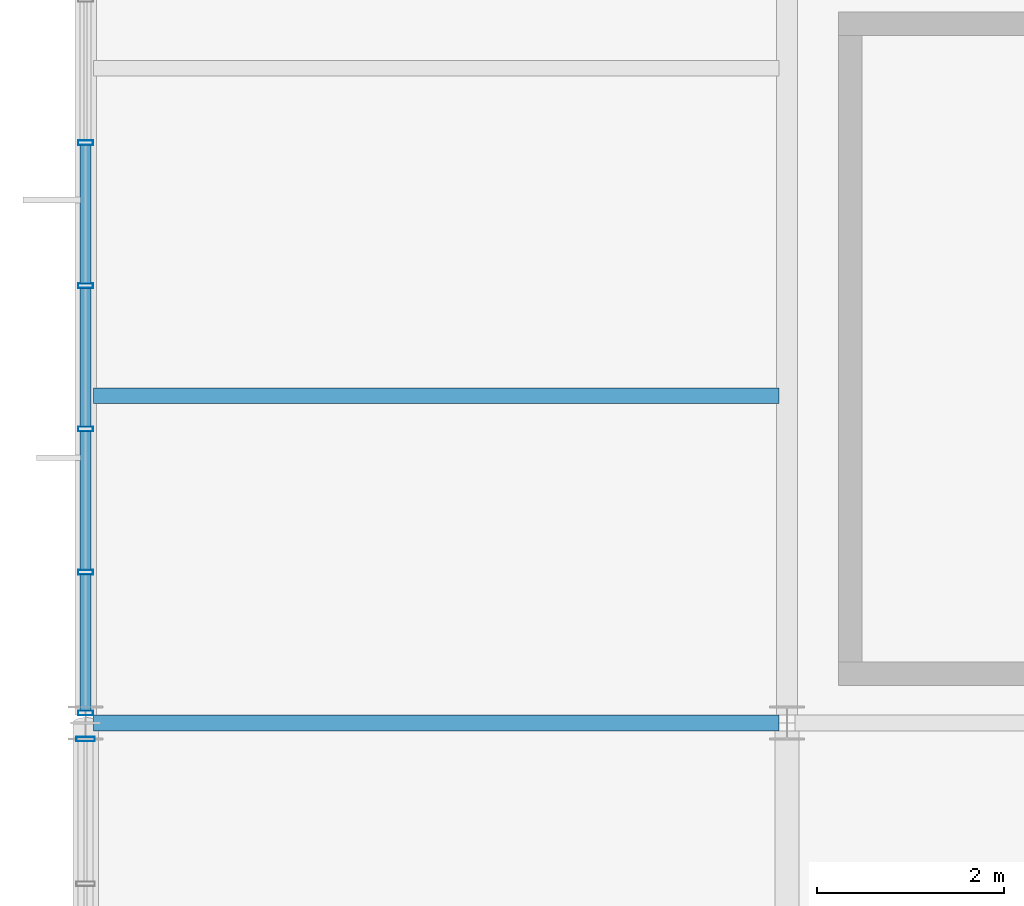
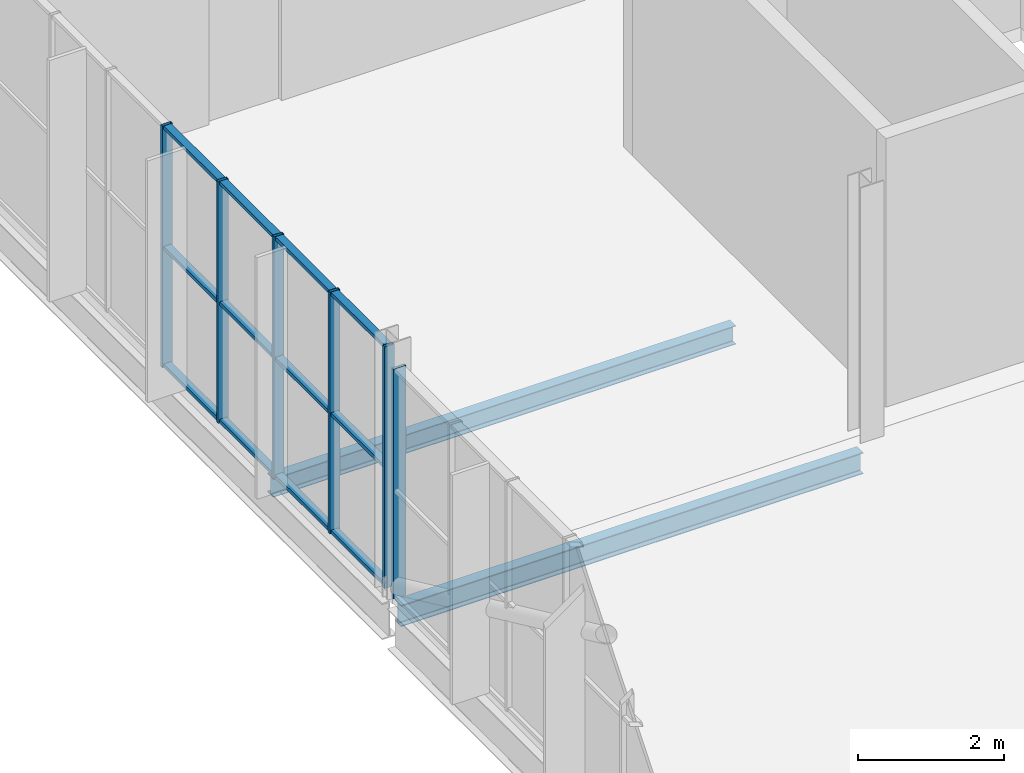
# One storey, part 24 of 324: 18 members, 2 beams, 2 elements without a shape of their own.
"""IFC4 building model written with IfcOpenShell, lengths in metres."""

from ifc_helpers import new_model, si_unit, direction, frame, origin, origin_2d, place, context, subcontext, project, spatial, hollow_rectangle, i_section, extrude, material, layer, layer_set, material_profile, profile_set, type_object, element, aggregate, save


model = new_model("IFC4")

# Units and contexts
model_context = context("Model", 3, precision=1e-05, world=origin(), true_north=direction((0.0, 1.0)))
body_context = subcontext(model_context, "Body", "Model", "MODEL_VIEW")
ifc_project = project(units=[si_unit("LENGTHUNIT", "METRE"), si_unit("AREAUNIT", "SQUARE_METRE"), si_unit("VOLUMEUNIT", "CUBIC_METRE"), si_unit("PLANEANGLEUNIT", "RADIAN"), si_unit("MASSUNIT", "GRAM", prefix="KILO")], contexts=[model_context])

# Site, building, storey
site_placement = place(None, origin())
site = spatial("IfcSite", under=ifc_project, at=site_placement, CompositionType="ELEMENT")
building_placement = place(site_placement, origin())
building = spatial("IfcBuilding", under=site, at=building_placement, Name="Solvenia Promenade Tram Depot", CompositionType="ELEMENT")
storey_placement = place(building_placement, frame((0.0, 0.0, 4.5)))
storey = spatial("IfcBuildingStorey", under=building, at=storey_placement, Name="L01", CompositionType="ELEMENT", Elevation=4.5)

# Curtain wall, members
ifc_material_1 = material(Name="Anodized aluminium AW-6063 T6", Category="aluminium")
ifc_layer_1 = layer(ifc_material_1, 0.1201171875, Name="Anodized aluminium AW-6063 T6", Category="aluminium")
ifc_layer_set_1 = layer_set([ifc_layer_1], Name="Anodized aluminium AW-6063 T6")
curtain_wall_type_1 = type_object("IfcCurtainWallType", Name="CW-Wash-1500", PredefinedType="NOTDEFINED", material=ifc_layer_set_1)
curtain_wall_1_placement = place(storey_placement, origin())
curtain_wall_1 = element("IfcCurtainWall", 1, at=curtain_wall_1_placement, inside=storey, type_object=curtain_wall_type_1, Name="Curtain Wall CW-V3-W-L1-1", PredefinedType="NOTDEFINED")
ifc_material_profile_1 = material_profile(ifc_material_1, hollow_rectangle(XDim=0.159912109375, YDim=0.052001953125, WallThickness=0.00390625, at=origin_2d()), Name="ALU-M1", Category="aluminium")
ifc_profile_set_1 = profile_set([ifc_material_profile_1], Name="Anodized aluminium AW-6063 T6")
member_type_1 = type_object("IfcMemberType", Name="CWM-Mullion-1", PredefinedType="MULLION", material=ifc_profile_set_1)
member_1_placement = place(storey_placement, frame((0.0, 24.10595703125, 0.0), z_axis=(0.0, 0.0, 1.0), x_axis=(-1.0, 0.0, 0.0)))
member_1 = element("IfcMember", 2, at=member_1_placement, type_object=member_type_1, Name="CW-10 mullion 1", PredefinedType="MULLION", context=body_context, shape_type="SweptSolid", body=[
    extrude(hollow_rectangle(XDim=0.159912109375, YDim=0.052001953125, WallThickness=0.00390625, at=origin_2d()), origin(), (0.0, 0.0, 1.0), 4.050048828125),
])
member_2_placement = place(storey_placement, frame((0.0, 25.611083984375, 0.0), z_axis=(0.0, 0.0, 1.0), x_axis=(-1.0, 0.0, 0.0)))
member_2 = element("IfcMember", 3, at=member_2_placement, type_object=member_type_1, Name="CW-10 mullion 2", PredefinedType="MULLION", context=body_context, shape_type="SweptSolid", body=[
    extrude(hollow_rectangle(XDim=0.159912109375, YDim=0.052001953125, WallThickness=0.00390625, at=origin_2d()), origin(), (0.0, 0.0, 1.0), 4.050048828125),
])
member_3_placement = place(storey_placement, frame((0.0, 27.142333984375, 0.0), z_axis=(0.0, 0.0, 1.0), x_axis=(-1.0, 0.0, 0.0)))
member_3 = element("IfcMember", 4, at=member_3_placement, type_object=member_type_1, Name="CW-10 mullion 3", PredefinedType="MULLION", context=body_context, shape_type="SweptSolid", body=[
    extrude(hollow_rectangle(XDim=0.159912109375, YDim=0.052001953125, WallThickness=0.00390625, at=origin_2d()), origin(), (0.0, 0.0, 1.0), 4.050048828125),
])
member_4_placement = place(storey_placement, frame((0.0, 28.67333984375, 0.0), z_axis=(0.0, 0.0, 1.0), x_axis=(-1.0, 0.0, 0.0)))
member_4 = element("IfcMember", 5, at=member_4_placement, type_object=member_type_1, Name="CW-10 mullion 4", PredefinedType="MULLION", context=body_context, shape_type="SweptSolid", body=[
    extrude(hollow_rectangle(XDim=0.159912109375, YDim=0.052001953125, WallThickness=0.00390625, at=origin_2d()), origin(), (0.0, 0.0, 1.0), 4.050048828125),
])
member_5_placement = place(storey_placement, frame((0.0, 30.204345703125, 0.0), z_axis=(0.0, 0.0, 1.0), x_axis=(-1.0, 0.0, 0.0)))
member_5 = element("IfcMember", 6, at=member_5_placement, type_object=member_type_1, Name="CW-10 mullion 5", PredefinedType="MULLION", context=body_context, shape_type="SweptSolid", body=[
    extrude(hollow_rectangle(XDim=0.159912109375, YDim=0.052001953125, WallThickness=0.00390625, at=origin_2d()), origin(), (0.0, 0.0, 1.0), 4.050048828125),
])

# Curtain wall, member
ifc_layer_2 = layer(ifc_material_1, 0.179931640625, Name="Anodized aluminium AW-6063 T6", Category="aluminium")
ifc_layer_set_2 = layer_set([ifc_layer_2], Name="Anodized aluminium AW-6063 T6")
curtain_wall_type_2 = type_object("IfcCurtainWallType", Name="CW-Solar-1500", PredefinedType="NOTDEFINED", material=ifc_layer_set_2)
curtain_wall_2_placement = place(storey_placement, origin())
curtain_wall_2 = element("IfcCurtainWall", 7, at=curtain_wall_2_placement, inside=storey, type_object=curtain_wall_type_2, Name="Curtain Wall CW-V4W-L01", PredefinedType="NOTDEFINED")
ifc_material_profile_2 = material_profile(ifc_material_1, hollow_rectangle(XDim=0.199951171875, YDim=0.048095703125, WallThickness=0.00390625, at=origin_2d()), Name="ALU-M3", Category="aluminium")
ifc_profile_set_2 = profile_set([ifc_material_profile_2], Name="Anodized aluminium AW-6063 T6")
member_type_2 = type_object("IfcMemberType", Name="CWM-Mullion-3", PredefinedType="MULLION", material=ifc_profile_set_2)
member_6_placement = place(storey_placement, frame((0.0, 23.825927734375, 0.0), z_axis=(0.0, 0.0, 1.0), x_axis=(-1.0, 0.0, 0.0)))
member_6 = element("IfcMember", 8, at=member_6_placement, type_object=member_type_2, Name="CW-7 mullion 11", PredefinedType="MULLION", context=body_context, shape_type="SweptSolid", body=[
    extrude(hollow_rectangle(XDim=0.199951171875, YDim=0.048095703125, WallThickness=0.00390625, at=origin_2d()), origin(), (0.0, 0.0, 1.0), 3.85009765625),
])
aggregate(curtain_wall_2, [member_6])

# Member
ifc_material_profile_3 = material_profile(ifc_material_1, hollow_rectangle(XDim=0.1201171875, YDim=0.06005859375, WallThickness=0.00390625, at=origin_2d()), Name="ALU-T1", Category="aluminium")
ifc_profile_set_3 = profile_set([ifc_material_profile_3], Name="Anodized aluminium AW-6063 T6")
member_type_3 = type_object("IfcMemberType", Name="CWT-Transom-1", PredefinedType="USERDEFINED", material=ifc_profile_set_3)
member_7_placement = place(storey_placement, frame((0.0, 24.132080078125, 0.030029296875), z_axis=(0.0, 1.0, 0.0), x_axis=(-1.0, 0.0, 0.0)))
member_7 = element("IfcMember", 9, at=member_7_placement, type_object=member_type_3, Name="CW-10 transom 1.1", ObjectType="TRANSOM", PredefinedType="USERDEFINED", context=body_context, shape_type="SweptSolid", body=[
    extrude(hollow_rectangle(XDim=0.1201171875, YDim=0.06005859375, WallThickness=0.00390625, at=origin_2d()), origin(), (0.0, 0.0, 1.0), 1.453125),
])

member_8_placement = place(storey_placement, frame((0.0, 24.132080078125, 2.0), z_axis=(0.0, 1.0, 0.0), x_axis=(-1.0, 0.0, 0.0)))
member_8 = element("IfcMember", 10, at=member_8_placement, type_object=member_type_3, Name="CW-10 transom 1.2", ObjectType="TRANSOM", PredefinedType="USERDEFINED", context=body_context, shape_type="SweptSolid", body=[
    extrude(hollow_rectangle(XDim=0.1201171875, YDim=0.06005859375, WallThickness=0.00390625, at=origin_2d()), origin(), (0.0, 0.0, 1.0), 1.453125),
])

member_9_placement = place(storey_placement, frame((0.0, 24.132080078125, 4.02001953125), z_axis=(0.0, 1.0, 0.0), x_axis=(-1.0, 0.0, 0.0)))
member_9 = element("IfcMember", 11, at=member_9_placement, type_object=member_type_3, Name="CW-10 transom 1.3", ObjectType="TRANSOM", PredefinedType="USERDEFINED", context=body_context, shape_type="SweptSolid", body=[
    extrude(hollow_rectangle(XDim=0.1201171875, YDim=0.06005859375, WallThickness=0.00390625, at=origin_2d()), origin(), (0.0, 0.0, 1.0), 1.453125),
])

member_10_placement = place(storey_placement, frame((0.0, 25.63720703125, 0.030029296875), z_axis=(0.0, 1.0, 0.0), x_axis=(-1.0, 0.0, 0.0)))
member_10 = element("IfcMember", 12, at=member_10_placement, type_object=member_type_3, Name="CW-10 transom 2.1", ObjectType="TRANSOM", PredefinedType="USERDEFINED", context=body_context, shape_type="SweptSolid", body=[
    extrude(hollow_rectangle(XDim=0.1201171875, YDim=0.06005859375, WallThickness=0.00390625, at=origin_2d()), origin(), (0.0, 0.0, 1.0), 1.47900390625),
])

member_11_placement = place(storey_placement, frame((0.0, 25.63720703125, 2.0), z_axis=(0.0, 1.0, 0.0), x_axis=(-1.0, 0.0, 0.0)))
member_11 = element("IfcMember", 13, at=member_11_placement, type_object=member_type_3, Name="CW-10 transom 2.2", ObjectType="TRANSOM", PredefinedType="USERDEFINED", context=body_context, shape_type="SweptSolid", body=[
    extrude(hollow_rectangle(XDim=0.1201171875, YDim=0.06005859375, WallThickness=0.00390625, at=origin_2d()), origin(), (0.0, 0.0, 1.0), 1.47900390625),
])

member_12_placement = place(storey_placement, frame((0.0, 25.63720703125, 4.02001953125), z_axis=(0.0, 1.0, 0.0), x_axis=(-1.0, 0.0, 0.0)))
member_12 = element("IfcMember", 14, at=member_12_placement, type_object=member_type_3, Name="CW-10 transom 2.3", ObjectType="TRANSOM", PredefinedType="USERDEFINED", context=body_context, shape_type="SweptSolid", body=[
    extrude(hollow_rectangle(XDim=0.1201171875, YDim=0.06005859375, WallThickness=0.00390625, at=origin_2d()), origin(), (0.0, 0.0, 1.0), 1.47900390625),
])

member_13_placement = place(storey_placement, frame((0.0, 27.168212890625, 0.030029296875), z_axis=(0.0, 1.0, 0.0), x_axis=(-1.0, 0.0, 0.0)))
member_13 = element("IfcMember", 15, at=member_13_placement, type_object=member_type_3, Name="CW-10 transom 3.1", ObjectType="TRANSOM", PredefinedType="USERDEFINED", context=body_context, shape_type="SweptSolid", body=[
    extrude(hollow_rectangle(XDim=0.1201171875, YDim=0.06005859375, WallThickness=0.00390625, at=origin_2d()), origin(), (0.0, 0.0, 1.0), 1.47900390625),
])

member_14_placement = place(storey_placement, frame((0.0, 27.168212890625, 2.0), z_axis=(0.0, 1.0, 0.0), x_axis=(-1.0, 0.0, 0.0)))
member_14 = element("IfcMember", 16, at=member_14_placement, type_object=member_type_3, Name="CW-10 transom 3.2", ObjectType="TRANSOM", PredefinedType="USERDEFINED", context=body_context, shape_type="SweptSolid", body=[
    extrude(hollow_rectangle(XDim=0.1201171875, YDim=0.06005859375, WallThickness=0.00390625, at=origin_2d()), origin(), (0.0, 0.0, 1.0), 1.47900390625),
])

member_15_placement = place(storey_placement, frame((0.0, 27.168212890625, 4.02001953125), z_axis=(0.0, 1.0, 0.0), x_axis=(-1.0, 0.0, 0.0)))
member_15 = element("IfcMember", 17, at=member_15_placement, type_object=member_type_3, Name="CW-10 transom 3.3", ObjectType="TRANSOM", PredefinedType="USERDEFINED", context=body_context, shape_type="SweptSolid", body=[
    extrude(hollow_rectangle(XDim=0.1201171875, YDim=0.06005859375, WallThickness=0.00390625, at=origin_2d()), origin(), (0.0, 0.0, 1.0), 1.47900390625),
])

member_16_placement = place(storey_placement, frame((0.0, 28.69921875, 0.030029296875), z_axis=(0.0, 1.0, 0.0), x_axis=(-1.0, 0.0, 0.0)))
member_16 = element("IfcMember", 18, at=member_16_placement, type_object=member_type_3, Name="CW-10 transom 4.1", ObjectType="TRANSOM", PredefinedType="USERDEFINED", context=body_context, shape_type="SweptSolid", body=[
    extrude(hollow_rectangle(XDim=0.1201171875, YDim=0.06005859375, WallThickness=0.00390625, at=origin_2d()), origin(), (0.0, 0.0, 1.0), 1.479248046875),
])

member_17_placement = place(storey_placement, frame((0.0, 28.69921875, 2.0), z_axis=(0.0, 1.0, 0.0), x_axis=(-1.0, 0.0, 0.0)))
member_17 = element("IfcMember", 19, at=member_17_placement, type_object=member_type_3, Name="CW-10 transom 4.2", ObjectType="TRANSOM", PredefinedType="USERDEFINED", context=body_context, shape_type="SweptSolid", body=[
    extrude(hollow_rectangle(XDim=0.1201171875, YDim=0.06005859375, WallThickness=0.00390625, at=origin_2d()), origin(), (0.0, 0.0, 1.0), 1.479248046875),
])

member_18_placement = place(storey_placement, frame((0.0, 28.69921875, 4.02001953125), z_axis=(0.0, 1.0, 0.0), x_axis=(-1.0, 0.0, 0.0)))
member_18 = element("IfcMember", 20, at=member_18_placement, type_object=member_type_3, Name="CW-10 transom 4.3", ObjectType="TRANSOM", PredefinedType="USERDEFINED", context=body_context, shape_type="SweptSolid", body=[
    extrude(hollow_rectangle(XDim=0.1201171875, YDim=0.06005859375, WallThickness=0.00390625, at=origin_2d()), origin(), (0.0, 0.0, 1.0), 1.479248046875),
])

aggregate(curtain_wall_1, [member_1, member_2, member_3, member_4, member_5, member_7, member_8, member_9, member_10, member_11, member_12, member_13, member_14, member_15, member_16, member_17, member_18])

# Beams
ifc_material_2 = material(Name="Structural steel ASTM A992 Gr. 50", Category="steel")
ifc_material_profile_4 = material_profile(ifc_material_2, i_section(OverallWidth=0.166015625, OverallDepth=0.31298828125, WebThickness=0.006591796875, FlangeThickness=0.01123046875, FilletRadius=0.010009765625, at=origin_2d()), Name="W310x45", Category="steel")
ifc_profile_set_4 = profile_set([ifc_material_profile_4], Name="Structural steel ASTM A992 Gr. 50")
beam_type_1 = type_object("IfcBeamType", Name="Joist-W310x45", PredefinedType="JOIST", material=ifc_profile_set_4)
beam_1_placement = place(storey_placement, frame((0.0849609375, 27.5, -0.396484375), z_axis=(1.0, 0.0, 0.0), x_axis=(0.0, 1.0, 0.0)))
element("IfcBeam", 21, at=beam_1_placement, inside=storey, type_object=beam_type_1, Name="Secondary Floor Joist BM-L01-0250", PredefinedType="JOIST", context=body_context, shape_type="SweptSolid", body=[
    extrude(i_section(OverallWidth=0.166015625, OverallDepth=0.31298828125, WebThickness=0.006591796875, FlangeThickness=0.01123046875, FilletRadius=0.010009765625, at=origin_2d()), origin(), (0.0, 0.0, 1.0), 7.330078125),
])
ifc_material_profile_5 = material_profile(ifc_material_2, i_section(OverallWidth=0.172119140625, OverallDepth=0.35791015625, WebThickness=0.0078125, FlangeThickness=0.01318359375, FilletRadius=0.010986328125, at=origin_2d()), Name="W360x57", Category="steel")
ifc_profile_set_5 = profile_set([ifc_material_profile_5], Name="Structural steel ASTM A992 Gr. 50")
beam_type_2 = type_object("IfcBeamType", Name="Spandrel-W360x57", PredefinedType="SPANDREL", material=ifc_profile_set_5)
beam_2_placement = place(storey_placement, frame((0.0849609375, 24.0, -0.4189453125), z_axis=(1.0, 0.0, 0.0), x_axis=(0.0, 1.0, 0.0)))
element("IfcBeam", 22, at=beam_2_placement, inside=storey, type_object=beam_type_2, Name="Perimeter Spandrel BM-L01-0211", PredefinedType="SPANDREL", context=body_context, shape_type="SweptSolid", body=[
    extrude(i_section(OverallWidth=0.172119140625, OverallDepth=0.35791015625, WebThickness=0.0078125, FlangeThickness=0.01318359375, FilletRadius=0.010986328125, at=origin_2d()), origin(), (0.0, 0.0, 1.0), 7.330078125),
])

save(model, "model.ifc")
